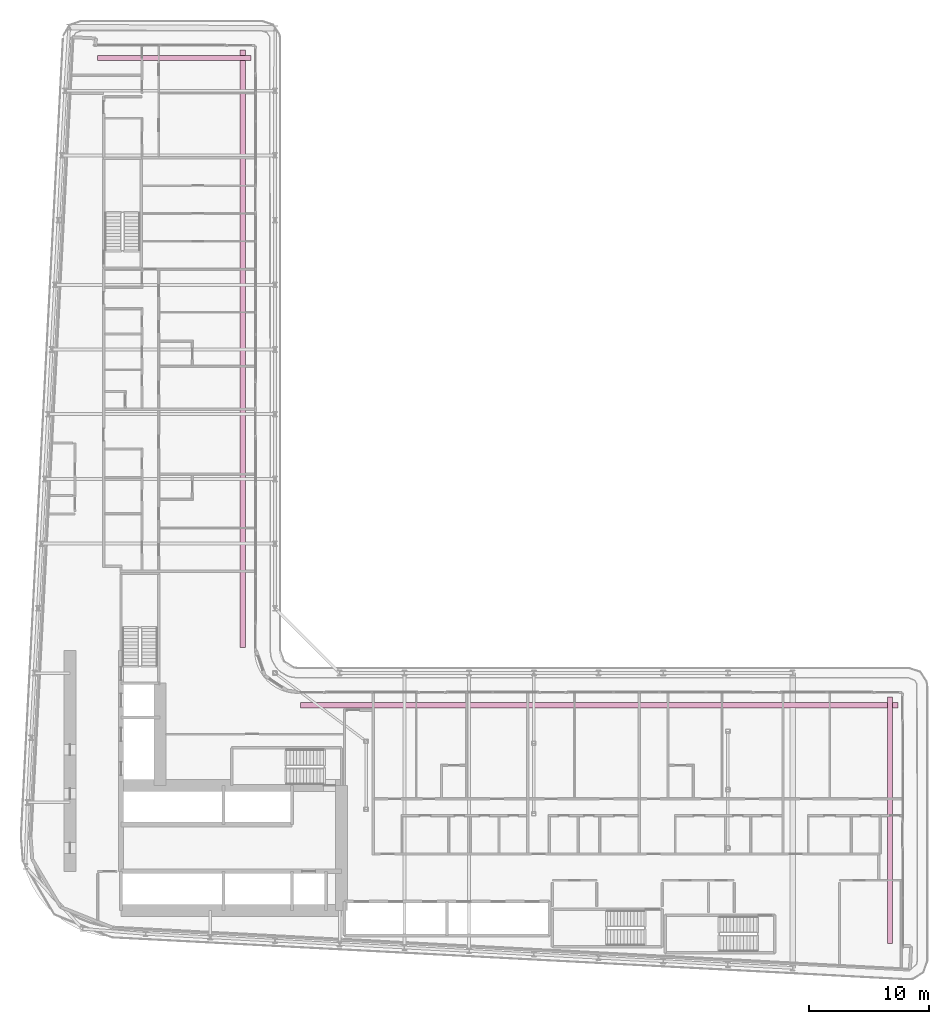
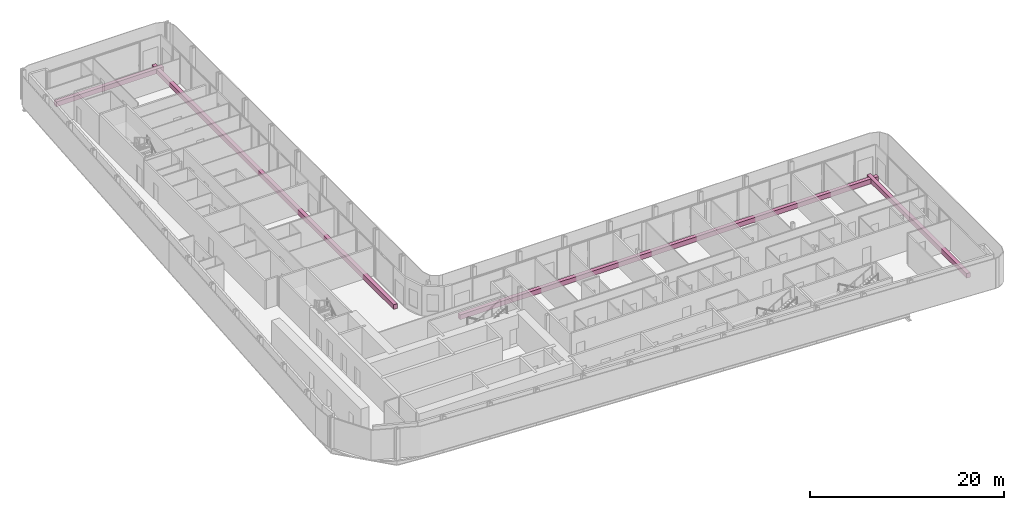
# One storey, part 27 of 27: 4 furniture elements.
"""IFC4 building model written with IfcOpenShell, lengths in metres."""

import ifcopenshell
import ifcopenshell.guid

model = None  # the IFC model being written
_history = None  # IfcOwnerHistory: only IFC2X3 demands one
_inside = {}  # id of a spatial element -> (the spatial element, [elements in it])
_under = {}  # id of a project, library or spatial element -> (it, [spatial elements below it])
_declared = {}  # id of a project -> (the project, [libraries it declares])
_typed = {}  # id of a type object -> (the type object, [elements of that type])
_made_of = {}  # id of a material, layer set ... -> (it, [elements and type objects made of it])


def new_model(schema):
    """Start an empty IFC model of exactly this schema.

    Asked for "IFC4X3", IfcOpenShell would pick the latest addendum, in which some entities
    have other attributes; the version numbers below select the first issue.
    IFC2X3 requires an IfcOwnerHistory on every rooted entity: one is made here for all.
    """
    global model, _history
    if schema == "IFC4X3":
        model = ifcopenshell.file(schema_version=(4, 3, 0, 0))
    else:
        model = ifcopenshell.file(schema=schema)
    _inside.clear()
    _under.clear()
    _declared.clear()
    _typed.clear()
    _made_of.clear()
    _history = None
    if model.schema == "IFC2X3":
        org = make("IfcOrganization", Name="unknown")
        user = make(
            "IfcPersonAndOrganization",
            ThePerson=make("IfcPerson", FamilyName="unknown"),
            TheOrganization=org,
        )
        app = make(
            "IfcApplication",
            ApplicationDeveloper=org,
            Version="unknown",
            ApplicationFullName="unknown",
            ApplicationIdentifier="unknown",
        )
        _history = make(
            "IfcOwnerHistory",
            OwningUser=user,
            OwningApplication=app,
            ChangeAction="ADDED",
            CreationDate=0,
        )
    return model


def make(cls, **values):
    """One entity of the class cls with the attributes given. An attribute that is None is left unset."""
    return model.create_entity(
        cls, **{name: value for name, value in values.items() if value is not None}
    )


def rooted(cls, **values):
    """An entity with a GlobalId (a new one), such as an element, a storey or a relation."""
    return make(cls, GlobalId=ifcopenshell.guid.new(), OwnerHistory=_history, **values)


def si_unit(unit_type, name, prefix=None):
    """IfcSIUnit, for example si_unit("LENGTHUNIT", "METRE", prefix="MILLI")."""
    return make("IfcSIUnit", UnitType=unit_type, Prefix=prefix, Name=name)


def assignment(units):
    """IfcUnitAssignment: the units of a project."""
    return None if units is None else make("IfcUnitAssignment", Units=units)


def point(xyz):
    """IfcCartesianPoint."""
    return None if xyz is None else make("IfcCartesianPoint", Coordinates=xyz)


def direction(xyz):
    """IfcDirection."""
    return None if xyz is None else make("IfcDirection", DirectionRatios=xyz)


def frame(location, z_axis=None, x_axis=None):
    """IfcAxis2Placement3D, a coordinate frame: its origin and axes. An axis left out is left unset."""
    return make(
        "IfcAxis2Placement3D",
        Location=point(location),
        Axis=direction(z_axis),
        RefDirection=direction(x_axis),
    )


def frame_2d(location, x_axis=None):
    """IfcAxis2Placement2D, a coordinate frame in the plane: its origin and x axis."""
    return make(
        "IfcAxis2Placement2D", Location=point(location), RefDirection=direction(x_axis)
    )


def origin():
    """The frame at (0, 0, 0) with its axes left unset."""
    return frame((0.0, 0.0, 0.0))


def origin_2d():
    """The frame at (0, 0) in the plane with its x axis left unset."""
    return frame_2d((0.0, 0.0))


def place(relative_to, where):
    """IfcLocalPlacement: puts the frame where relative to a parent placement (None: the world)."""
    return make(
        "IfcLocalPlacement", PlacementRelTo=relative_to, RelativePlacement=where
    )


def context(
    kind, dimensions, precision=None, world=None, true_north=None, identifier=None
):
    """IfcGeometricRepresentationContext, for example the 3D "Model" context."""
    return make(
        "IfcGeometricRepresentationContext",
        ContextIdentifier=identifier,
        ContextType=kind,
        CoordinateSpaceDimension=dimensions,
        Precision=precision,
        WorldCoordinateSystem=world,
        TrueNorth=true_north,
    )


def subcontext(parent, identifier, kind, view, scale=None):
    """IfcGeometricRepresentationSubContext, for example "Body" below "Model"."""
    return make(
        "IfcGeometricRepresentationSubContext",
        ContextIdentifier=identifier,
        ContextType=kind,
        ParentContext=parent,
        TargetScale=scale,
        TargetView=view,
    )


def project(units=None, contexts=None):
    """IfcProject with its units and contexts."""
    return rooted(
        "IfcProject",
        Name="project",
        RepresentationContexts=contexts,
        UnitsInContext=assignment(units),
    )


def spatial(cls, under=None, at=None, **own):
    """A site, building, storey or space (cls), placed at a placement, below another one or the project."""
    s = rooted(cls, ObjectPlacement=at, **own)
    if under is not None:
        _under.setdefault(under.id(), (under, []))[1].append(s)
    return s


def profile(cls, at=None, kind="AREA", **sizes):
    """A parametric profile (cls). Its sizes go by their IFC names, for example OverallWidth=200.0."""
    return make(cls, ProfileType=kind, Position=at, **sizes)


def rectangle(**sizes):
    """IfcRectangleProfileDef."""
    return profile("IfcRectangleProfileDef", **sizes)


def extrude(swept, where, along, depth):
    """IfcExtrudedAreaSolid: the profile swept, set in the frame where, extruded along a direction by depth."""
    return make(
        "IfcExtrudedAreaSolid",
        SweptArea=swept,
        Position=where,
        ExtrudedDirection=direction(along),
        Depth=depth,
    )


def shape(context_of_items, identifier, shape_type, items):
    """IfcShapeRepresentation: the items that make up one representation, for example the "Body"."""
    return make(
        "IfcShapeRepresentation",
        ContextOfItems=context_of_items,
        RepresentationIdentifier=identifier,
        RepresentationType=shape_type,
        Items=items,
    )


def material(Name=None, Category=None):
    """IfcMaterial."""
    return make("IfcMaterial", Name=Name, Category=Category)


def made_of(thing, what):
    """Note that an element or type object is made of a material, layer set ...; save() writes the relation."""
    if what is not None:
        _made_of.setdefault(what.id(), (what, []))[1].append(thing)
    return thing


def type_object(cls, material=None, **own):
    """A type object (cls), such as IfcWallType, which elements share."""
    return made_of(rooted(cls, **own), material)


def element(
    cls,
    number,
    at=None,
    inside=None,
    cuts=None,
    type_object=None,
    material=None,
    context=None,
    identifier="Body",
    shape_type=None,
    held_by="IfcProductDefinitionShape",
    body=None,
    shapes=None,
    **own,
):
    """One element of the class cls, such as IfcWall. Its Tag is "e" and its number.

    at: its placement. inside: the storey or other place that contains it. cuts: it is an
    opening in that element (IfcRelVoidsElement). A single representation is given by context,
    identifier, shape_type and body (its items); several are given by shapes. held_by: the class
    of the entity that holds the representations. save() writes the other relations.
    """
    e = rooted(cls, Tag="e%d" % number, ObjectPlacement=at, **own)
    if body is not None:
        shapes = [shape(context, identifier, shape_type, body)]
    if shapes is not None:
        e.Representation = make(held_by, Representations=shapes)
    if inside is not None:
        _inside.setdefault(inside.id(), (inside, []))[1].append(e)
    if cuts is not None:
        rooted(
            "IfcRelVoidsElement", RelatingBuildingElement=cuts, RelatedOpeningElement=e
        )
    if type_object is not None:
        _typed.setdefault(type_object.id(), (type_object, []))[1].append(e)
    return made_of(e, material)


def aggregate(whole, parts):
    """IfcRelAggregates: a whole, such as a stair, and the parts it consists of."""
    return rooted("IfcRelAggregates", RelatingObject=whole, RelatedObjects=parts)


def save(model, path):
    """Write the relations noted so far, then the file.

    IfcRelAggregates (storeys below a building ...), IfcRelContainedInSpatialStructure (elements
    in a storey), IfcRelDefinesByType, IfcRelAssociatesMaterial and IfcRelDeclares: one each for
    every whole, place, type object, material and project.
    """
    for whole, parts in _under.values():
        aggregate(whole, parts)
    for where, things in _inside.values():
        rooted(
            "IfcRelContainedInSpatialStructure",
            RelatedElements=things,
            RelatingStructure=where,
        )
    for kind, things in _typed.values():
        rooted("IfcRelDefinesByType", RelatedObjects=things, RelatingType=kind)
    for what, things in _made_of.values():
        rooted("IfcRelAssociatesMaterial", RelatedObjects=things, RelatingMaterial=what)
    for by, libraries in _declared.values():
        rooted("IfcRelDeclares", RelatingContext=by, RelatedDefinitions=libraries)
    model.write(path)


model = new_model("IFC4")

# Units and contexts
model_context = context("Model", 3, precision=1e-05, world=origin(), true_north=direction((0.0, 1.0)))
body_context = subcontext(model_context, "Body", "Model", "MODEL_VIEW")
ifc_project = project(units=[si_unit("LENGTHUNIT", "METRE"), si_unit("AREAUNIT", "SQUARE_METRE"), si_unit("VOLUMEUNIT", "CUBIC_METRE"), si_unit("PLANEANGLEUNIT", "RADIAN"), si_unit("MASSUNIT", "GRAM", prefix="KILO")], contexts=[model_context])

# Site, building, storey
site_placement = place(None, origin())
site = spatial("IfcSite", under=ifc_project, at=site_placement, CompositionType="ELEMENT")
building_placement = place(site_placement, origin())
building = spatial("IfcBuilding", under=site, at=building_placement, Name="Kheshtan School and Residences Tower", CompositionType="ELEMENT")
storey_placement = place(building_placement, frame((0.0, 0.0, 57.800048828125)))
storey = spatial("IfcBuildingStorey", under=building, at=storey_placement, Name="L13", CompositionType="ELEMENT", Elevation=57.800048828125)

# Furniture
ifc_material = material(Name="Precast concrete C30/37 in terracotta finish", Category="masonry")
furniture_type = type_object("IfcFurnitureType", Name="Planter trough", AssemblyPlace="NOTDEFINED", PredefinedType="USERDEFINED", material=ifc_material)
furniture_1_placement = place(storey_placement, frame((39.196044921875, 96.925048828125, 0.0), z_axis=(0.0, 0.0, 1.0), x_axis=(1.0, 0.0, 0.0)))
element("IfcFurniture", 1, at=furniture_1_placement, inside=storey, type_object=furniture_type, Name="Planter L13", ObjectType="PLANTER", PredefinedType="USERDEFINED", context=body_context, shape_type="SweptSolid", body=[
    extrude(rectangle(XDim=12.80810546875, YDim=0.449951171875, at=origin_2d()), origin(), (0.0, 0.0, 1.0), 0.60009765625),
])
for number, where, z_axis, x_axis, name in (
    (2, (44.925048828125, 72.6650390625, 0.0), (0.0, 0.0, 1.0), (0.0, -1.0, 0.0), "Planter L13"),
    (3, (74.6650390625, 42.925048828125, 0.0), (0.0, 0.0, 1.0), (1.0, 0.0, 0.0), "Planter L13"),
):
    element("IfcFurniture", number, at=place(storey_placement, frame(where, z_axis=z_axis, x_axis=x_axis)), inside=storey, type_object=furniture_type, Name=name, ObjectType="PLANTER", PredefinedType="USERDEFINED", context=body_context, shape_type="SweptSolid", body=[
        extrude(rectangle(XDim=49.8701171875, YDim=0.449951171875, at=origin_2d()), origin(), (0.0, 0.0, 1.0), 0.60009765625),
    ])
furniture_2_placement = place(storey_placement, frame((98.925048828125, 33.306884765625, 0.0), z_axis=(0.0, 0.0, 1.0), x_axis=(0.0, -1.0, 0.0)))
element("IfcFurniture", 4, at=furniture_2_placement, inside=storey, type_object=furniture_type, Name="Planter L13", ObjectType="PLANTER", PredefinedType="USERDEFINED", context=body_context, shape_type="SweptSolid", body=[
    extrude(rectangle(XDim=20.5859375, YDim=0.449951171875, at=origin_2d()), origin(), (0.0, 0.0, 1.0), 0.60009765625),
])

save(model, "model.ifc")
